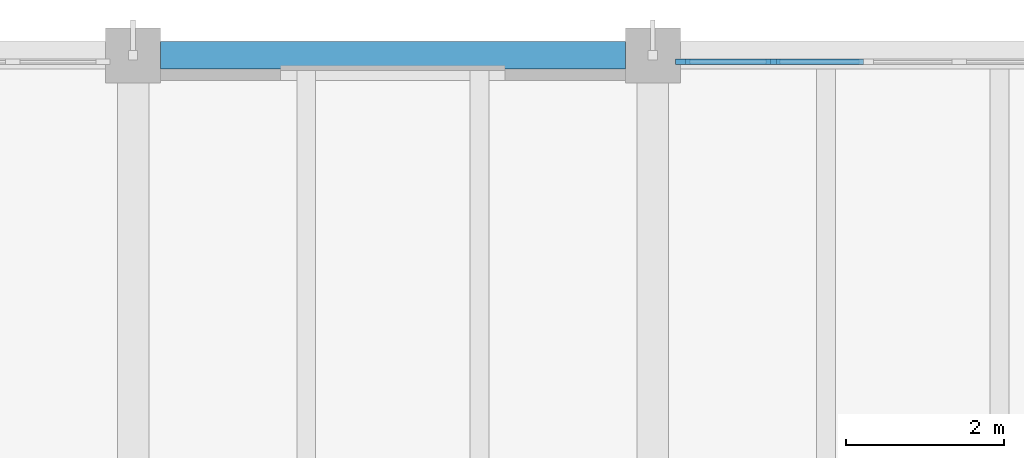
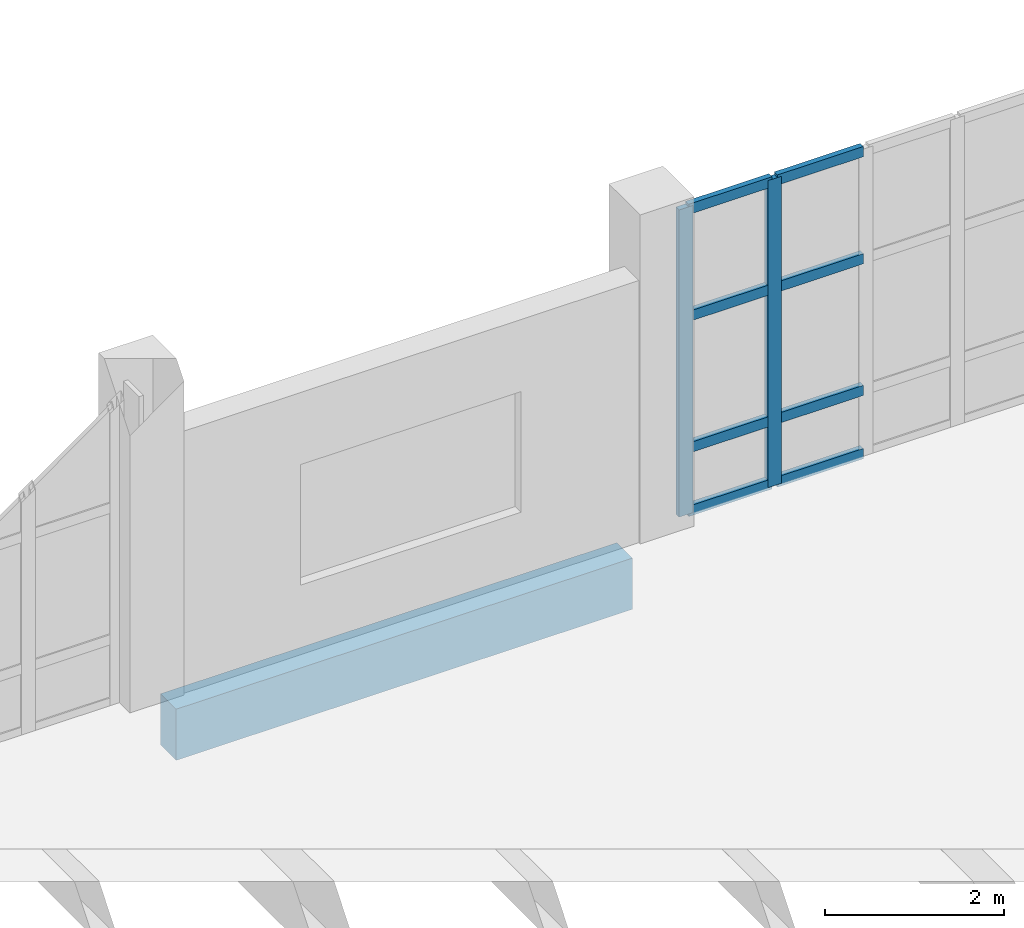
# One storey, part 19 of 83: 10 members, 1 beam, 1 element without a shape of its own.
"""IFC4 building model written with IfcOpenShell, lengths in metres."""

from ifc_helpers import new_model, si_unit, direction, frame, origin, origin_2d, place, context, subcontext, project, spatial, rectangle, extrude, material, material_profile, profile_set, type_object, element, aggregate, save


model = new_model("IFC4")

# Units and contexts
model_context = context("Model", 3, precision=1e-05, world=origin(), true_north=direction((0.0, 1.0)))
body_context = subcontext(model_context, "Body", "Model", "MODEL_VIEW")
ifc_project = project(units=[si_unit("LENGTHUNIT", "METRE"), si_unit("AREAUNIT", "SQUARE_METRE"), si_unit("VOLUMEUNIT", "CUBIC_METRE"), si_unit("PLANEANGLEUNIT", "RADIAN"), si_unit("MASSUNIT", "GRAM", prefix="KILO")], contexts=[model_context])

# Site, building, storey
site_placement = place(None, origin())
site = spatial("IfcSite", under=ifc_project, at=site_placement, CompositionType="ELEMENT")
building_placement = place(site_placement, origin())
building = spatial("IfcBuilding", under=site, at=building_placement, Name="Qaldarim Faculty of Natural and Applied Sciences", CompositionType="ELEMENT")
storey_placement = place(building_placement, frame((0.0, 0.0, 5.39990234375)))
storey = spatial("IfcBuildingStorey", under=building, at=storey_placement, Name="L01", CompositionType="ELEMENT", Elevation=5.39990234375)

# Curtain wall, members
ifc_material_1 = material(Name="Anodised aluminium AW-6063", Category="aluminium")
curtain_wall_type = type_object("IfcCurtainWallType", Name="CurtainWallSystem-M1200", PredefinedType="USERDEFINED", material=ifc_material_1)
curtain_wall_placement = place(storey_placement, origin())
curtain_wall = element("IfcCurtainWall", 1, at=curtain_wall_placement, inside=storey, type_object=curtain_wall_type, Name="Curtain wall CW-L01-N-X20Y14", ObjectType="STICK CURTAIN WALL", PredefinedType="USERDEFINED")
ifc_material_profile_1 = material_profile(ifc_material_1, rectangle(XDim=0.070068359375, YDim=0.179931640625, at=origin_2d()), Name="ALU-M70x180")
ifc_profile_set_1 = profile_set([ifc_material_profile_1], Name="Anodised aluminium AW-6063")
member_type_1 = type_object("IfcMemberType", Name="Mullion-ALU70x180", PredefinedType="MULLION", material=ifc_profile_set_1)
member_1_placement = place(storey_placement, frame((126.927001953125, 117.52001953125, 0.0), z_axis=(0.0, 0.0, 1.0), x_axis=(0.0, -1.0, 0.0)))
member_1 = element("IfcMember", 2, at=member_1_placement, type_object=member_type_1, Name="Mullion 5 of CW-L01-N-X20Y14", PredefinedType="MULLION", context=body_context, shape_type="SweptSolid", body=[
    extrude(rectangle(XDim=0.070068359375, YDim=0.179931640625, at=origin_2d()), origin(), (0.0, 0.0, 1.0), 4.2001953125),
])
member_2_placement = place(storey_placement, frame((125.780029296875, 117.52001953125, 0.0), z_axis=(0.0, 0.0, 1.0), x_axis=(0.0, -1.0, 0.0)))
member_2 = element("IfcMember", 3, at=member_2_placement, type_object=member_type_1, Name="Mullion 6 of CW-L01-N-X20Y14", PredefinedType="MULLION", context=body_context, shape_type="SweptSolid", body=[
    extrude(rectangle(XDim=0.070068359375, YDim=0.179931640625, at=origin_2d()), origin(), (0.0, 0.0, 1.0), 4.2001953125),
])

# Beam
ifc_material_2 = material(Name="Concrete C40/50", Category="concrete")
ifc_material_profile_2 = material_profile(ifc_material_2, rectangle(XDim=0.35009765625, YDim=0.699951171875, at=origin_2d()), Name="RC-B350x700")
ifc_profile_set_2 = profile_set([ifc_material_profile_2], Name="Concrete C40/50")
beam_type = type_object("IfcBeamType", Name="PrimaryGirder-RC350x700", PredefinedType="BEAM", material=ifc_profile_set_2)
beam_placement = place(storey_placement, frame((119.14990234375, 117.60009765625, -0.64990234375), z_axis=(1.0, 0.0, 0.0), x_axis=(0.0, 1.0, 0.0)))
element("IfcBeam", 4, at=beam_placement, inside=storey, type_object=beam_type, Name="Beam RC-B350x700 L00 X19-X20/Y15", PredefinedType="BEAM", context=body_context, shape_type="SweptSolid", body=[
    extrude(rectangle(XDim=0.35009765625, YDim=0.699951171875, at=origin_2d()), origin(), (0.0, 0.0, 1.0), 5.900146484375),
])

# Member
ifc_material_profile_3 = material_profile(ifc_material_1, rectangle(XDim=0.070068359375, YDim=0.139892578125, at=origin_2d()), Name="ALU-T70x140")
ifc_profile_set_3 = profile_set([ifc_material_profile_3], Name="Anodised aluminium AW-6063")
member_type_2 = type_object("IfcMemberType", Name="Transom-ALU70x140", PredefinedType="USERDEFINED", material=ifc_profile_set_3)
member_3_placement = place(storey_placement, frame((128.073974609375, 117.52001953125, 0.03515625), z_axis=(-1.0, 0.0, 0.0), x_axis=(0.0, -1.0, 0.0)))
member_3 = element("IfcMember", 5, at=member_3_placement, type_object=member_type_2, Name="Transom 4-1 of CW-L01-N-X20Y14", ObjectType="TRANSOM", PredefinedType="USERDEFINED", context=body_context, shape_type="SweptSolid", body=[
    extrude(rectangle(XDim=0.070068359375, YDim=0.139892578125, at=origin_2d()), origin(), (0.0, 0.0, 1.0), 1.112060546875),
])

member_4_placement = place(storey_placement, frame((128.073974609375, 117.52001953125, 0.900146484375), z_axis=(-1.0, 0.0, 0.0), x_axis=(0.0, -1.0, 0.0)))
member_4 = element("IfcMember", 6, at=member_4_placement, type_object=member_type_2, Name="Transom 4-2 of CW-L01-N-X20Y14", ObjectType="TRANSOM", PredefinedType="USERDEFINED", context=body_context, shape_type="SweptSolid", body=[
    extrude(rectangle(XDim=0.070068359375, YDim=0.139892578125, at=origin_2d()), origin(), (0.0, 0.0, 1.0), 1.112060546875),
])

member_5_placement = place(storey_placement, frame((128.073974609375, 117.52001953125, 2.7001953125), z_axis=(-1.0, 0.0, 0.0), x_axis=(0.0, -1.0, 0.0)))
member_5 = element("IfcMember", 7, at=member_5_placement, type_object=member_type_2, Name="Transom 4-3 of CW-L01-N-X20Y14", ObjectType="TRANSOM", PredefinedType="USERDEFINED", context=body_context, shape_type="SweptSolid", body=[
    extrude(rectangle(XDim=0.070068359375, YDim=0.139892578125, at=origin_2d()), origin(), (0.0, 0.0, 1.0), 1.112060546875),
])

member_6_placement = place(storey_placement, frame((128.073974609375, 117.52001953125, 4.1650390625), z_axis=(-1.0, 0.0, 0.0), x_axis=(0.0, -1.0, 0.0)))
member_6 = element("IfcMember", 8, at=member_6_placement, type_object=member_type_2, Name="Transom 4-4 of CW-L01-N-X20Y14", ObjectType="TRANSOM", PredefinedType="USERDEFINED", context=body_context, shape_type="SweptSolid", body=[
    extrude(rectangle(XDim=0.070068359375, YDim=0.139892578125, at=origin_2d()), origin(), (0.0, 0.0, 1.0), 1.112060546875),
])

member_7_placement = place(storey_placement, frame((126.89208984375, 117.52001953125, 0.03515625), z_axis=(-1.0, 0.0, 0.0), x_axis=(0.0, -1.0, 0.0)))
member_7 = element("IfcMember", 9, at=member_7_placement, type_object=member_type_2, Name="Transom 5-1 of CW-L01-N-X20Y14", ObjectType="TRANSOM", PredefinedType="USERDEFINED", context=body_context, shape_type="SweptSolid", body=[
    extrude(rectangle(XDim=0.070068359375, YDim=0.139892578125, at=origin_2d()), origin(), (0.0, 0.0, 1.0), 1.0771484375),
])

member_8_placement = place(storey_placement, frame((126.89208984375, 117.52001953125, 0.900146484375), z_axis=(-1.0, 0.0, 0.0), x_axis=(0.0, -1.0, 0.0)))
member_8 = element("IfcMember", 10, at=member_8_placement, type_object=member_type_2, Name="Transom 5-2 of CW-L01-N-X20Y14", ObjectType="TRANSOM", PredefinedType="USERDEFINED", context=body_context, shape_type="SweptSolid", body=[
    extrude(rectangle(XDim=0.070068359375, YDim=0.139892578125, at=origin_2d()), origin(), (0.0, 0.0, 1.0), 1.0771484375),
])

member_9_placement = place(storey_placement, frame((126.89208984375, 117.52001953125, 2.7001953125), z_axis=(-1.0, 0.0, 0.0), x_axis=(0.0, -1.0, 0.0)))
member_9 = element("IfcMember", 11, at=member_9_placement, type_object=member_type_2, Name="Transom 5-3 of CW-L01-N-X20Y14", ObjectType="TRANSOM", PredefinedType="USERDEFINED", context=body_context, shape_type="SweptSolid", body=[
    extrude(rectangle(XDim=0.070068359375, YDim=0.139892578125, at=origin_2d()), origin(), (0.0, 0.0, 1.0), 1.0771484375),
])

member_10_placement = place(storey_placement, frame((126.89208984375, 117.52001953125, 4.1650390625), z_axis=(-1.0, 0.0, 0.0), x_axis=(0.0, -1.0, 0.0)))
member_10 = element("IfcMember", 12, at=member_10_placement, type_object=member_type_2, Name="Transom 5-4 of CW-L01-N-X20Y14", ObjectType="TRANSOM", PredefinedType="USERDEFINED", context=body_context, shape_type="SweptSolid", body=[
    extrude(rectangle(XDim=0.070068359375, YDim=0.139892578125, at=origin_2d()), origin(), (0.0, 0.0, 1.0), 1.0771484375),
])

aggregate(curtain_wall, [member_1, member_2, member_3, member_4, member_5, member_6, member_7, member_8, member_9, member_10])

save(model, "model.ifc")
